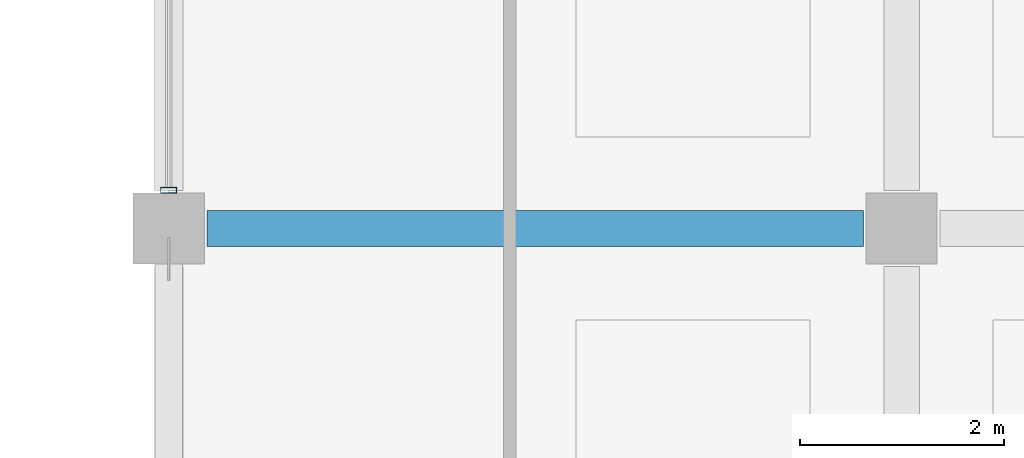
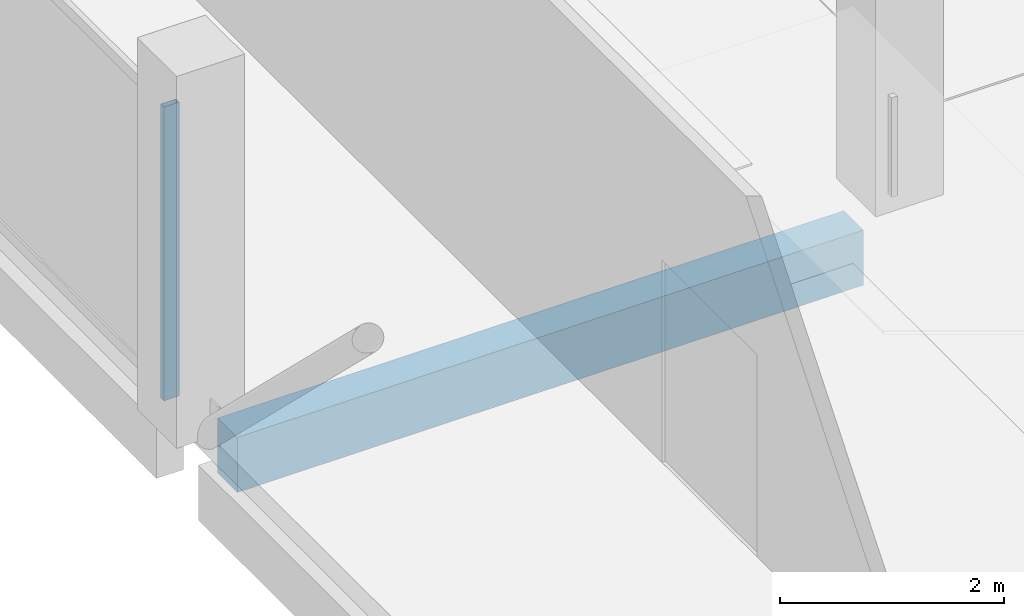
# One storey, part 37 of 91: 1 beam, 1 member, 1 element without a shape of its own.
"""IFC4 building model written with IfcOpenShell, lengths in metres."""

import ifcopenshell
import ifcopenshell.guid

model = None  # the IFC model being written
_history = None  # IfcOwnerHistory: only IFC2X3 demands one
_inside = {}  # id of a spatial element -> (the spatial element, [elements in it])
_under = {}  # id of a project, library or spatial element -> (it, [spatial elements below it])
_declared = {}  # id of a project -> (the project, [libraries it declares])
_typed = {}  # id of a type object -> (the type object, [elements of that type])
_made_of = {}  # id of a material, layer set ... -> (it, [elements and type objects made of it])


def new_model(schema):
    """Start an empty IFC model of exactly this schema.

    Asked for "IFC4X3", IfcOpenShell would pick the latest addendum, in which some entities
    have other attributes; the version numbers below select the first issue.
    IFC2X3 requires an IfcOwnerHistory on every rooted entity: one is made here for all.
    """
    global model, _history
    if schema == "IFC4X3":
        model = ifcopenshell.file(schema_version=(4, 3, 0, 0))
    else:
        model = ifcopenshell.file(schema=schema)
    _inside.clear()
    _under.clear()
    _declared.clear()
    _typed.clear()
    _made_of.clear()
    _history = None
    if model.schema == "IFC2X3":
        org = make("IfcOrganization", Name="unknown")
        user = make(
            "IfcPersonAndOrganization",
            ThePerson=make("IfcPerson", FamilyName="unknown"),
            TheOrganization=org,
        )
        app = make(
            "IfcApplication",
            ApplicationDeveloper=org,
            Version="unknown",
            ApplicationFullName="unknown",
            ApplicationIdentifier="unknown",
        )
        _history = make(
            "IfcOwnerHistory",
            OwningUser=user,
            OwningApplication=app,
            ChangeAction="ADDED",
            CreationDate=0,
        )
    return model


def make(cls, **values):
    """One entity of the class cls with the attributes given. An attribute that is None is left unset."""
    return model.create_entity(
        cls, **{name: value for name, value in values.items() if value is not None}
    )


def rooted(cls, **values):
    """An entity with a GlobalId (a new one), such as an element, a storey or a relation."""
    return make(cls, GlobalId=ifcopenshell.guid.new(), OwnerHistory=_history, **values)


def si_unit(unit_type, name, prefix=None):
    """IfcSIUnit, for example si_unit("LENGTHUNIT", "METRE", prefix="MILLI")."""
    return make("IfcSIUnit", UnitType=unit_type, Prefix=prefix, Name=name)


def assignment(units):
    """IfcUnitAssignment: the units of a project."""
    return None if units is None else make("IfcUnitAssignment", Units=units)


def point(xyz):
    """IfcCartesianPoint."""
    return None if xyz is None else make("IfcCartesianPoint", Coordinates=xyz)


def direction(xyz):
    """IfcDirection."""
    return None if xyz is None else make("IfcDirection", DirectionRatios=xyz)


def frame(location, z_axis=None, x_axis=None):
    """IfcAxis2Placement3D, a coordinate frame: its origin and axes. An axis left out is left unset."""
    return make(
        "IfcAxis2Placement3D",
        Location=point(location),
        Axis=direction(z_axis),
        RefDirection=direction(x_axis),
    )


def frame_2d(location, x_axis=None):
    """IfcAxis2Placement2D, a coordinate frame in the plane: its origin and x axis."""
    return make(
        "IfcAxis2Placement2D", Location=point(location), RefDirection=direction(x_axis)
    )


def origin():
    """The frame at (0, 0, 0) with its axes left unset."""
    return frame((0.0, 0.0, 0.0))


def origin_2d():
    """The frame at (0, 0) in the plane with its x axis left unset."""
    return frame_2d((0.0, 0.0))


def place(relative_to, where):
    """IfcLocalPlacement: puts the frame where relative to a parent placement (None: the world)."""
    return make(
        "IfcLocalPlacement", PlacementRelTo=relative_to, RelativePlacement=where
    )


def context(
    kind, dimensions, precision=None, world=None, true_north=None, identifier=None
):
    """IfcGeometricRepresentationContext, for example the 3D "Model" context."""
    return make(
        "IfcGeometricRepresentationContext",
        ContextIdentifier=identifier,
        ContextType=kind,
        CoordinateSpaceDimension=dimensions,
        Precision=precision,
        WorldCoordinateSystem=world,
        TrueNorth=true_north,
    )


def subcontext(parent, identifier, kind, view, scale=None):
    """IfcGeometricRepresentationSubContext, for example "Body" below "Model"."""
    return make(
        "IfcGeometricRepresentationSubContext",
        ContextIdentifier=identifier,
        ContextType=kind,
        ParentContext=parent,
        TargetScale=scale,
        TargetView=view,
    )


def project(units=None, contexts=None):
    """IfcProject with its units and contexts."""
    return rooted(
        "IfcProject",
        Name="project",
        RepresentationContexts=contexts,
        UnitsInContext=assignment(units),
    )


def spatial(cls, under=None, at=None, **own):
    """A site, building, storey or space (cls), placed at a placement, below another one or the project."""
    s = rooted(cls, ObjectPlacement=at, **own)
    if under is not None:
        _under.setdefault(under.id(), (under, []))[1].append(s)
    return s


def profile(cls, at=None, kind="AREA", **sizes):
    """A parametric profile (cls). Its sizes go by their IFC names, for example OverallWidth=200.0."""
    return make(cls, ProfileType=kind, Position=at, **sizes)


def rectangle(**sizes):
    """IfcRectangleProfileDef."""
    return profile("IfcRectangleProfileDef", **sizes)


def hollow_rectangle(**sizes):
    """IfcRectangleHollowProfileDef."""
    return profile("IfcRectangleHollowProfileDef", **sizes)


def extrude(swept, where, along, depth):
    """IfcExtrudedAreaSolid: the profile swept, set in the frame where, extruded along a direction by depth."""
    return make(
        "IfcExtrudedAreaSolid",
        SweptArea=swept,
        Position=where,
        ExtrudedDirection=direction(along),
        Depth=depth,
    )


def shape(context_of_items, identifier, shape_type, items):
    """IfcShapeRepresentation: the items that make up one representation, for example the "Body"."""
    return make(
        "IfcShapeRepresentation",
        ContextOfItems=context_of_items,
        RepresentationIdentifier=identifier,
        RepresentationType=shape_type,
        Items=items,
    )


def material(Name=None, Category=None):
    """IfcMaterial."""
    return make("IfcMaterial", Name=Name, Category=Category)


def layer(
    of_material, thickness, ventilated=None, Name=None, Category=None, Priority=None
):
    """IfcMaterialLayer: one layer of a wall or slab, of a material (None: an air gap)."""
    return make(
        "IfcMaterialLayer",
        Material=of_material,
        LayerThickness=thickness,
        IsVentilated=ventilated,
        Name=Name,
        Category=Category,
        Priority=Priority,
    )


def layer_set(layers, Name=None):
    """IfcMaterialLayerSet."""
    return make("IfcMaterialLayerSet", MaterialLayers=layers, LayerSetName=Name)


def material_profile(
    of_material, cross_section, Name=None, Category=None, Priority=None
):
    """IfcMaterialProfile: a cross section and its material."""
    return make(
        "IfcMaterialProfile",
        Name=Name,
        Material=of_material,
        Profile=cross_section,
        Priority=Priority,
        Category=Category,
    )


def profile_set(profiles, Name=None, composite=None):
    """IfcMaterialProfileSet."""
    return make(
        "IfcMaterialProfileSet",
        Name=Name,
        MaterialProfiles=profiles,
        CompositeProfile=composite,
    )


def made_of(thing, what):
    """Note that an element or type object is made of a material, layer set ...; save() writes the relation."""
    if what is not None:
        _made_of.setdefault(what.id(), (what, []))[1].append(thing)
    return thing


def type_object(cls, material=None, **own):
    """A type object (cls), such as IfcWallType, which elements share."""
    return made_of(rooted(cls, **own), material)


def element(
    cls,
    number,
    at=None,
    inside=None,
    cuts=None,
    type_object=None,
    material=None,
    context=None,
    identifier="Body",
    shape_type=None,
    held_by="IfcProductDefinitionShape",
    body=None,
    shapes=None,
    **own,
):
    """One element of the class cls, such as IfcWall. Its Tag is "e" and its number.

    at: its placement. inside: the storey or other place that contains it. cuts: it is an
    opening in that element (IfcRelVoidsElement). A single representation is given by context,
    identifier, shape_type and body (its items); several are given by shapes. held_by: the class
    of the entity that holds the representations. save() writes the other relations.
    """
    e = rooted(cls, Tag="e%d" % number, ObjectPlacement=at, **own)
    if body is not None:
        shapes = [shape(context, identifier, shape_type, body)]
    if shapes is not None:
        e.Representation = make(held_by, Representations=shapes)
    if inside is not None:
        _inside.setdefault(inside.id(), (inside, []))[1].append(e)
    if cuts is not None:
        rooted(
            "IfcRelVoidsElement", RelatingBuildingElement=cuts, RelatedOpeningElement=e
        )
    if type_object is not None:
        _typed.setdefault(type_object.id(), (type_object, []))[1].append(e)
    return made_of(e, material)


def aggregate(whole, parts):
    """IfcRelAggregates: a whole, such as a stair, and the parts it consists of."""
    return rooted("IfcRelAggregates", RelatingObject=whole, RelatedObjects=parts)


def save(model, path):
    """Write the relations noted so far, then the file.

    IfcRelAggregates (storeys below a building ...), IfcRelContainedInSpatialStructure (elements
    in a storey), IfcRelDefinesByType, IfcRelAssociatesMaterial and IfcRelDeclares: one each for
    every whole, place, type object, material and project.
    """
    for whole, parts in _under.values():
        aggregate(whole, parts)
    for where, things in _inside.values():
        rooted(
            "IfcRelContainedInSpatialStructure",
            RelatedElements=things,
            RelatingStructure=where,
        )
    for kind, things in _typed.values():
        rooted("IfcRelDefinesByType", RelatedObjects=things, RelatingType=kind)
    for what, things in _made_of.values():
        rooted("IfcRelAssociatesMaterial", RelatedObjects=things, RelatingMaterial=what)
    for by, libraries in _declared.values():
        rooted("IfcRelDeclares", RelatingContext=by, RelatedDefinitions=libraries)
    model.write(path)


model = new_model("IFC4")

# Units and contexts
model_context = context("Model", 3, precision=1e-05, world=origin(), true_north=direction((0.0, 1.0)))
body_context = subcontext(model_context, "Body", "Model", "MODEL_VIEW")
ifc_project = project(units=[si_unit("LENGTHUNIT", "METRE"), si_unit("AREAUNIT", "SQUARE_METRE"), si_unit("VOLUMEUNIT", "CUBIC_METRE"), si_unit("PLANEANGLEUNIT", "RADIAN"), si_unit("MASSUNIT", "GRAM", prefix="KILO")], contexts=[model_context])

# Site, building, storey
site_placement = place(None, origin())
site = spatial("IfcSite", under=ifc_project, at=site_placement, CompositionType="ELEMENT")
building_placement = place(site_placement, origin())
building = spatial("IfcBuilding", under=site, at=building_placement, Name="Kangsadwip Square Police Headquarters", CompositionType="ELEMENT")
storey_placement = place(building_placement, frame((0.0, 0.0, 13.5)))
storey = spatial("IfcBuildingStorey", under=building, at=storey_placement, Name="L03", CompositionType="ELEMENT", Elevation=13.5)

# Curtain wall, member
ifc_material_1 = material(Name="Thermally broken anodised aluminium AW-6063-T6", Category="aluminium")
ifc_layer = layer(ifc_material_1, 0.159912109375)
ifc_layer_set = layer_set([ifc_layer], Name="Thermally broken anodised aluminium AW-6063-T6")
curtain_wall_type = type_object("IfcCurtainWallType", Name="CourtScreen6510x3200", PredefinedType="USERDEFINED", material=ifc_layer_set)
curtain_wall_placement = place(storey_placement, origin())
curtain_wall = element("IfcCurtainWall", 1, at=curtain_wall_placement, inside=storey, type_object=curtain_wall_type, Name="Curtain Wall CW-L03-1440-0435", ObjectType="GLAZED_SCREEN", PredefinedType="USERDEFINED")
ifc_material_2 = material(Name="Thermally broken anodised aluminium AW-6063-T6", Category="aluminium")
ifc_material_profile_1 = material_profile(ifc_material_2, hollow_rectangle(XDim=0.06005859375, YDim=0.159912109375, WallThickness=0.00390625, at=origin_2d()), Name="CWM 160X60X4")
ifc_profile_set_1 = profile_set([ifc_material_profile_1], Name="Thermally broken anodised aluminium AW-6063-T6")
member_type = type_object("IfcMemberType", Name="CwMullion135x60", PredefinedType="MULLION", material=ifc_profile_set_1)
member_placement = place(storey_placement, frame((144.0, 43.574951171875, 0.0), z_axis=(0.0, 0.0, 1.0), x_axis=(0.0, 1.0, 0.0)))
member = element("IfcMember", 2, at=member_placement, type_object=member_type, Name="CW-19 mullion 1", PredefinedType="MULLION", context=body_context, shape_type="SweptSolid", body=[
    extrude(hollow_rectangle(XDim=0.06005859375, YDim=0.159912109375, WallThickness=0.00390625, at=origin_2d()), origin(), (0.0, 0.0, 1.0), 3.199951171875),
])
aggregate(curtain_wall, [member])

# Beam
ifc_material_3 = material(Name="Concrete M35 (35 MPa)", Category="concrete")
ifc_material_profile_2 = material_profile(ifc_material_3, rectangle(XDim=0.35009765625, YDim=0.60009765625, at=origin_2d()), Name="RC BM 600X350")
ifc_profile_set_2 = profile_set([ifc_material_profile_2], Name="Concrete M35 (35 MPa)")
beam_type = type_object("IfcBeamType", Name="RcBeam600x350", PredefinedType="BEAM", material=ifc_profile_set_2)
beam_placement = place(storey_placement, frame((144.375, 43.199951171875, -0.5400390625), z_axis=(1.0, 0.0, 0.0), x_axis=(0.0, 1.0, 0.0)))
element("IfcBeam", 3, at=beam_placement, inside=storey, type_object=beam_type, Name="Beam BM-L03-X-20-06", PredefinedType="BEAM", context=body_context, shape_type="SweptSolid", body=[
    extrude(rectangle(XDim=0.35009765625, YDim=0.60009765625, at=origin_2d()), origin(), (0.0, 0.0, 1.0), 6.449951171875),
])

save(model, "model.ifc")
